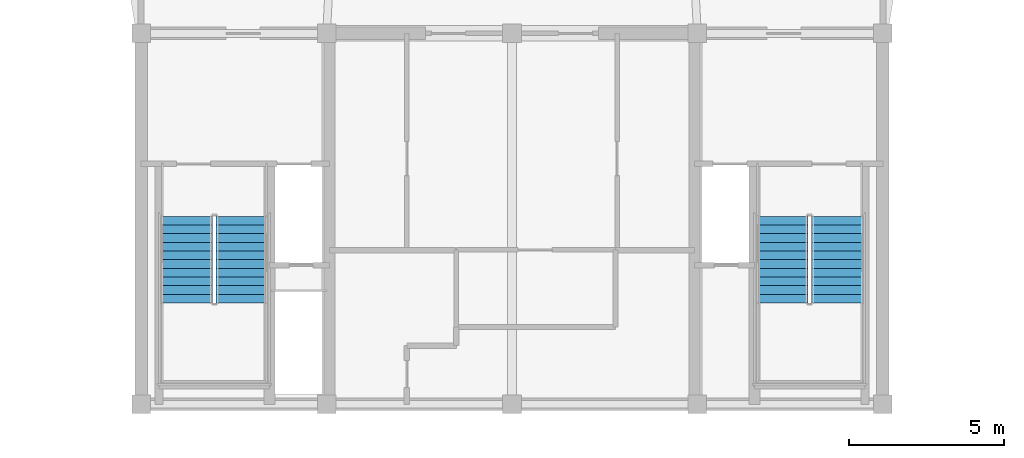
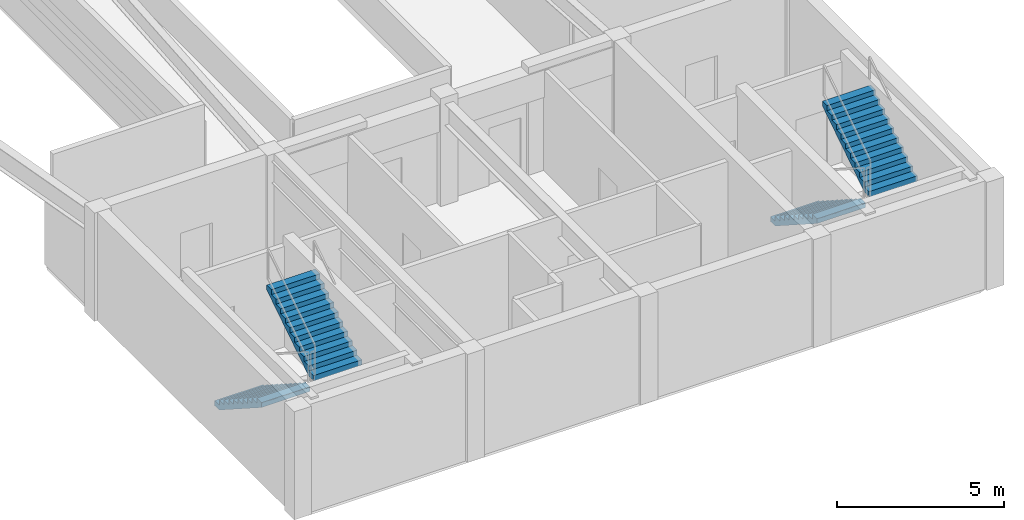
# One storey, part 4 of 6: 4 stair flights, 2 elements without a shape of their own.
"""IFC4 building model written with IfcOpenShell, lengths in metres."""

from ifc_helpers import new_model, si_unit, direction, frame, origin, place, context, subcontext, project, spatial, polyline, outline, extrude, material, type_object, element, aggregate, save


model = new_model("IFC4")

# Units and contexts
model_context = context("Model", 3, precision=1e-05, world=origin(), true_north=direction((0.0, 1.0)))
body_context = subcontext(model_context, "Body", "Model", "MODEL_VIEW")
ifc_project = project(units=[si_unit("LENGTHUNIT", "METRE"), si_unit("AREAUNIT", "SQUARE_METRE"), si_unit("VOLUMEUNIT", "CUBIC_METRE"), si_unit("PLANEANGLEUNIT", "RADIAN"), si_unit("MASSUNIT", "GRAM", prefix="KILO")], contexts=[model_context])

# Site, building, storey
site_placement = place(None, origin())
site = spatial("IfcSite", under=ifc_project, at=site_placement, CompositionType="ELEMENT")
building_placement = place(site_placement, origin())
building = spatial("IfcBuilding", under=site, at=building_placement, Name="Brelvock Crest Care Tower", CompositionType="ELEMENT")
storey_placement = place(building_placement, frame((0.0, 0.0, 295.919921875)))
storey = spatial("IfcBuildingStorey", under=building, at=storey_placement, Name="L75", CompositionType="ELEMENT", Elevation=295.919921875)

# Stair, stair flights
ifc_material = material(Name="Concrete N40 (40 MPa)", Category="concrete")
stair_type = type_object("IfcStairType", Name="ST-CORE1", PredefinedType="HALF_TURN_STAIR", material=ifc_material)
stair_1_placement = place(storey_placement, origin())
stair_1 = element("IfcStair", 1, at=stair_1_placement, inside=storey, type_object=stair_type, Name="L75 Fire-Isolated Core Stair ST-1", PredefinedType="HALF_TURN_STAIR")
stair_flight_type = type_object("IfcStairFlightType", Name="STF-1", PredefinedType="STRAIGHT", material=ifc_material)
stair_flight_1_placement = place(storey_placement, frame((25.469970703125, 12.080078125, 0.0), z_axis=(0.0, 0.0, 1.0), x_axis=(0.0, -1.0, 0.0)))
stair_flight_1 = element("IfcStairFlight", 2, at=stair_flight_1_placement, type_object=stair_flight_type, Name="ST-1 flight 1", NumberOfRisers=11, NumberOfTreads=10, PredefinedType="STRAIGHT", RiserHeight=0.18, TreadLength=0.28, context=body_context, shape_type="SweptSolid", body=[
    extrude(outline(polyline([(-0.00390625, -0.014892578125), (-0.00390625, -0.008056640625), (-0.00390625, -0.0009765625), (-0.00390625, 0.005859375), (-0.00390625, 0.012939453125), (-0.00390625, 0.019775390625), (-0.00390625, 0.02685546875), (-0.00390625, 0.03369140625), (-0.00390625, 0.040771484375), (-0.00390625, 0.047607421875), (-0.00390625, 0.0546875), (-0.00390625, 0.0615234375), (-0.00390625, 0.068603515625), (-0.00390625, 0.075439453125), (-0.00390625, 0.08251953125), (-0.00390625, 0.08935546875), (-0.00390625, 0.096435546875), (-0.00390625, 0.103271484375), (-0.00390625, 0.1103515625), (-0.00390625, 0.117431640625), (-0.00390625, 0.124267578125), (-0.00390625, 0.13134765625), (-0.00390625, 0.13818359375), (-0.00390625, 0.145263671875), (-0.00390625, 0.152099609375), (-0.00390625, 0.1591796875), (-0.00390625, 0.166015625), (-0.00390625, 0.173095703125), (-0.00390625, 0.179931640625), (0.0, 0.179931640625), (0.280029296875, 0.179931640625), (0.280029296875, 0.360107421875), (0.56005859375, 0.360107421875), (0.56005859375, 0.5400390625), (0.840087890625, 0.5400390625), (0.840087890625, 0.719970703125), (1.1201171875, 0.719970703125), (1.1201171875, 0.89990234375), (1.39990234375, 0.89990234375), (1.39990234375, 1.080078125), (1.679931640625, 1.080078125), (1.679931640625, 1.260009765625), (1.9599609375, 1.260009765625), (1.9599609375, 1.43994140625), (2.239990234375, 1.43994140625), (2.239990234375, 1.6201171875), (2.52001953125, 1.6201171875), (2.52001953125, 1.800048828125), (2.800048828125, 1.800048828125), (2.803955078125, 1.800048828125), (2.8037109375, 1.79931640625), (2.803955078125, 1.798828125), (2.8037109375, 1.798095703125), (2.803955078125, 1.79736328125), (2.8037109375, 1.796875), (2.803955078125, 1.796142578125), (2.8037109375, 1.79541015625), (2.803955078125, 1.794921875), (2.8037109375, 1.794189453125), (2.803955078125, 1.79345703125), (2.8037109375, 1.79296875), (2.803955078125, 1.792236328125), (2.8037109375, 1.791748046875), (2.803955078125, 1.791015625), (2.8037109375, 1.790283203125), (2.803955078125, 1.789794921875), (2.8037109375, 1.7890625), (2.803955078125, 1.788330078125), (2.8037109375, 1.787841796875), (2.803955078125, 1.787109375), (2.8037109375, 1.78662109375), (2.803955078125, 1.785888671875), (2.8037109375, 1.78515625), (2.803955078125, 1.78466796875), (2.8037109375, 1.783935546875), (2.803955078125, 1.783203125), (2.8037109375, 1.78271484375), (2.803955078125, 1.781982421875), (2.800048828125, 1.621826171875), (0.277099609375, 0.0), (0.0, 0.0), (0.0, -0.014892578125), (-0.00390625, -0.014892578125)])), frame((0.0, 0.83984375, 0.0), z_axis=(0.0, -1.0, 0.0), x_axis=(1.0, 0.0, 0.0)), (0.0, 0.0, 1.0), 1.679931640625),
])
stair_flight_2_placement = place(storey_placement, frame((27.27001953125, 9.280029296875, 1.97998046875), z_axis=(0.0, 0.0, 1.0), x_axis=(0.0, 1.0, 0.0)))
stair_flight_2 = element("IfcStairFlight", 3, at=stair_flight_2_placement, type_object=stair_flight_type, Name="ST-1 flight 2", NumberOfRisers=11, NumberOfTreads=10, PredefinedType="STRAIGHT", RiserHeight=0.18, TreadLength=0.28, context=body_context, shape_type="SweptSolid", body=[
    extrude(outline(polyline([(-0.00390625, -0.014892578125), (-0.00390625, -0.008056640625), (-0.00390625, -0.0009765625), (-0.00390625, 0.005859375), (-0.00390625, 0.012939453125), (-0.00390625, 0.019775390625), (-0.00390625, 0.02685546875), (-0.00390625, 0.03369140625), (-0.00390625, 0.040771484375), (-0.00390625, 0.047607421875), (-0.00390625, 0.0546875), (-0.00390625, 0.0615234375), (-0.00390625, 0.068603515625), (-0.00390625, 0.075439453125), (-0.00390625, 0.08251953125), (-0.00390625, 0.08935546875), (-0.00390625, 0.096435546875), (-0.00390625, 0.103271484375), (-0.00390625, 0.1103515625), (-0.00390625, 0.117431640625), (-0.00390625, 0.124267578125), (-0.00390625, 0.13134765625), (-0.00390625, 0.13818359375), (-0.00390625, 0.145263671875), (-0.00390625, 0.152099609375), (-0.00390625, 0.1591796875), (-0.00390625, 0.166015625), (-0.00390625, 0.173095703125), (-0.00390625, 0.179931640625), (0.0, 0.179931640625), (0.280029296875, 0.179931640625), (0.280029296875, 0.360107421875), (0.56005859375, 0.360107421875), (0.56005859375, 0.5400390625), (0.840087890625, 0.5400390625), (0.840087890625, 0.719970703125), (1.1201171875, 0.719970703125), (1.1201171875, 0.89990234375), (1.39990234375, 0.89990234375), (1.39990234375, 1.080078125), (1.679931640625, 1.080078125), (1.679931640625, 1.260009765625), (1.9599609375, 1.260009765625), (1.9599609375, 1.43994140625), (2.239990234375, 1.43994140625), (2.239990234375, 1.6201171875), (2.52001953125, 1.6201171875), (2.52001953125, 1.800048828125), (2.800048828125, 1.800048828125), (2.803955078125, 1.800048828125), (2.8037109375, 1.79931640625), (2.803955078125, 1.798828125), (2.8037109375, 1.798095703125), (2.803955078125, 1.79736328125), (2.8037109375, 1.796875), (2.803955078125, 1.796142578125), (2.8037109375, 1.79541015625), (2.803955078125, 1.794921875), (2.8037109375, 1.794189453125), (2.803955078125, 1.79345703125), (2.8037109375, 1.79296875), (2.803955078125, 1.792236328125), (2.8037109375, 1.791748046875), (2.803955078125, 1.791015625), (2.8037109375, 1.790283203125), (2.803955078125, 1.789794921875), (2.8037109375, 1.7890625), (2.803955078125, 1.788330078125), (2.8037109375, 1.787841796875), (2.803955078125, 1.787109375), (2.8037109375, 1.78662109375), (2.803955078125, 1.785888671875), (2.8037109375, 1.78515625), (2.803955078125, 1.78466796875), (2.8037109375, 1.783935546875), (2.803955078125, 1.783203125), (2.8037109375, 1.78271484375), (2.803955078125, 1.781982421875), (2.800048828125, 1.621826171875), (0.277099609375, 0.0), (0.0, 0.0), (0.0, -0.014892578125), (-0.00390625, -0.014892578125)])), frame((0.0, 0.83984375, 0.0), z_axis=(0.0, -1.0, 0.0), x_axis=(1.0, 0.0, 0.0)), (0.0, 0.0, 1.0), 1.679931640625),
])
aggregate(stair_1, [stair_flight_1, stair_flight_2])

stair_2_placement = place(storey_placement, origin())
stair_2 = element("IfcStair", 4, at=stair_2_placement, inside=storey, type_object=stair_type, Name="L75 Fire-Isolated Core Stair ST-2", PredefinedType="HALF_TURN_STAIR")
stair_flight_3_placement = place(storey_placement, frame((44.72998046875, 12.080078125, 0.0), z_axis=(0.0, 0.0, 1.0), x_axis=(0.0, -1.0, 0.0)))
stair_flight_3 = element("IfcStairFlight", 5, at=stair_flight_3_placement, type_object=stair_flight_type, Name="ST-2 flight 1", NumberOfRisers=11, NumberOfTreads=10, PredefinedType="STRAIGHT", RiserHeight=0.18, TreadLength=0.28, context=body_context, shape_type="SweptSolid", body=[
    extrude(outline(polyline([(-0.00390625, -0.014892578125), (-0.00390625, -0.008056640625), (-0.00390625, -0.0009765625), (-0.00390625, 0.005859375), (-0.00390625, 0.012939453125), (-0.00390625, 0.019775390625), (-0.00390625, 0.02685546875), (-0.00390625, 0.03369140625), (-0.00390625, 0.040771484375), (-0.00390625, 0.047607421875), (-0.00390625, 0.0546875), (-0.00390625, 0.0615234375), (-0.00390625, 0.068603515625), (-0.00390625, 0.075439453125), (-0.00390625, 0.08251953125), (-0.00390625, 0.08935546875), (-0.00390625, 0.096435546875), (-0.00390625, 0.103271484375), (-0.00390625, 0.1103515625), (-0.00390625, 0.117431640625), (-0.00390625, 0.124267578125), (-0.00390625, 0.13134765625), (-0.00390625, 0.13818359375), (-0.00390625, 0.145263671875), (-0.00390625, 0.152099609375), (-0.00390625, 0.1591796875), (-0.00390625, 0.166015625), (-0.00390625, 0.173095703125), (-0.00390625, 0.179931640625), (0.0, 0.179931640625), (0.280029296875, 0.179931640625), (0.280029296875, 0.360107421875), (0.56005859375, 0.360107421875), (0.56005859375, 0.5400390625), (0.840087890625, 0.5400390625), (0.840087890625, 0.719970703125), (1.1201171875, 0.719970703125), (1.1201171875, 0.89990234375), (1.39990234375, 0.89990234375), (1.39990234375, 1.080078125), (1.679931640625, 1.080078125), (1.679931640625, 1.260009765625), (1.9599609375, 1.260009765625), (1.9599609375, 1.43994140625), (2.239990234375, 1.43994140625), (2.239990234375, 1.6201171875), (2.52001953125, 1.6201171875), (2.52001953125, 1.800048828125), (2.800048828125, 1.800048828125), (2.803955078125, 1.800048828125), (2.8037109375, 1.79931640625), (2.803955078125, 1.798828125), (2.8037109375, 1.798095703125), (2.803955078125, 1.79736328125), (2.8037109375, 1.796875), (2.803955078125, 1.796142578125), (2.8037109375, 1.79541015625), (2.803955078125, 1.794921875), (2.8037109375, 1.794189453125), (2.803955078125, 1.79345703125), (2.8037109375, 1.79296875), (2.803955078125, 1.792236328125), (2.8037109375, 1.791748046875), (2.803955078125, 1.791015625), (2.8037109375, 1.790283203125), (2.803955078125, 1.789794921875), (2.8037109375, 1.7890625), (2.803955078125, 1.788330078125), (2.8037109375, 1.787841796875), (2.803955078125, 1.787109375), (2.8037109375, 1.78662109375), (2.803955078125, 1.785888671875), (2.8037109375, 1.78515625), (2.803955078125, 1.78466796875), (2.8037109375, 1.783935546875), (2.803955078125, 1.783203125), (2.8037109375, 1.78271484375), (2.803955078125, 1.781982421875), (2.800048828125, 1.621826171875), (0.277099609375, 0.0), (0.0, 0.0), (0.0, -0.014892578125), (-0.00390625, -0.014892578125)])), frame((0.0, 0.83984375, 0.0), z_axis=(0.0, -1.0, 0.0), x_axis=(1.0, 0.0, 0.0)), (0.0, 0.0, 1.0), 1.679931640625),
])
stair_flight_4_placement = place(storey_placement, frame((46.530029296875, 9.280029296875, 1.97998046875), z_axis=(0.0, 0.0, 1.0), x_axis=(0.0, 1.0, 0.0)))
stair_flight_4 = element("IfcStairFlight", 6, at=stair_flight_4_placement, type_object=stair_flight_type, Name="ST-2 flight 2", NumberOfRisers=11, NumberOfTreads=10, PredefinedType="STRAIGHT", RiserHeight=0.18, TreadLength=0.28, context=body_context, shape_type="SweptSolid", body=[
    extrude(outline(polyline([(-0.00390625, -0.014892578125), (-0.00390625, -0.008056640625), (-0.00390625, -0.0009765625), (-0.00390625, 0.005859375), (-0.00390625, 0.012939453125), (-0.00390625, 0.019775390625), (-0.00390625, 0.02685546875), (-0.00390625, 0.03369140625), (-0.00390625, 0.040771484375), (-0.00390625, 0.047607421875), (-0.00390625, 0.0546875), (-0.00390625, 0.0615234375), (-0.00390625, 0.068603515625), (-0.00390625, 0.075439453125), (-0.00390625, 0.08251953125), (-0.00390625, 0.08935546875), (-0.00390625, 0.096435546875), (-0.00390625, 0.103271484375), (-0.00390625, 0.1103515625), (-0.00390625, 0.117431640625), (-0.00390625, 0.124267578125), (-0.00390625, 0.13134765625), (-0.00390625, 0.13818359375), (-0.00390625, 0.145263671875), (-0.00390625, 0.152099609375), (-0.00390625, 0.1591796875), (-0.00390625, 0.166015625), (-0.00390625, 0.173095703125), (-0.00390625, 0.179931640625), (0.0, 0.179931640625), (0.280029296875, 0.179931640625), (0.280029296875, 0.360107421875), (0.56005859375, 0.360107421875), (0.56005859375, 0.5400390625), (0.840087890625, 0.5400390625), (0.840087890625, 0.719970703125), (1.1201171875, 0.719970703125), (1.1201171875, 0.89990234375), (1.39990234375, 0.89990234375), (1.39990234375, 1.080078125), (1.679931640625, 1.080078125), (1.679931640625, 1.260009765625), (1.9599609375, 1.260009765625), (1.9599609375, 1.43994140625), (2.239990234375, 1.43994140625), (2.239990234375, 1.6201171875), (2.52001953125, 1.6201171875), (2.52001953125, 1.800048828125), (2.800048828125, 1.800048828125), (2.803955078125, 1.800048828125), (2.8037109375, 1.79931640625), (2.803955078125, 1.798828125), (2.8037109375, 1.798095703125), (2.803955078125, 1.79736328125), (2.8037109375, 1.796875), (2.803955078125, 1.796142578125), (2.8037109375, 1.79541015625), (2.803955078125, 1.794921875), (2.8037109375, 1.794189453125), (2.803955078125, 1.79345703125), (2.8037109375, 1.79296875), (2.803955078125, 1.792236328125), (2.8037109375, 1.791748046875), (2.803955078125, 1.791015625), (2.8037109375, 1.790283203125), (2.803955078125, 1.789794921875), (2.8037109375, 1.7890625), (2.803955078125, 1.788330078125), (2.8037109375, 1.787841796875), (2.803955078125, 1.787109375), (2.8037109375, 1.78662109375), (2.803955078125, 1.785888671875), (2.8037109375, 1.78515625), (2.803955078125, 1.78466796875), (2.8037109375, 1.783935546875), (2.803955078125, 1.783203125), (2.8037109375, 1.78271484375), (2.803955078125, 1.781982421875), (2.800048828125, 1.621826171875), (0.277099609375, 0.0), (0.0, 0.0), (0.0, -0.014892578125), (-0.00390625, -0.014892578125)])), frame((0.0, 0.83984375, 0.0), z_axis=(0.0, -1.0, 0.0), x_axis=(1.0, 0.0, 0.0)), (0.0, 0.0, 1.0), 1.679931640625),
])
aggregate(stair_2, [stair_flight_3, stair_flight_4])

save(model, "model.ifc")
